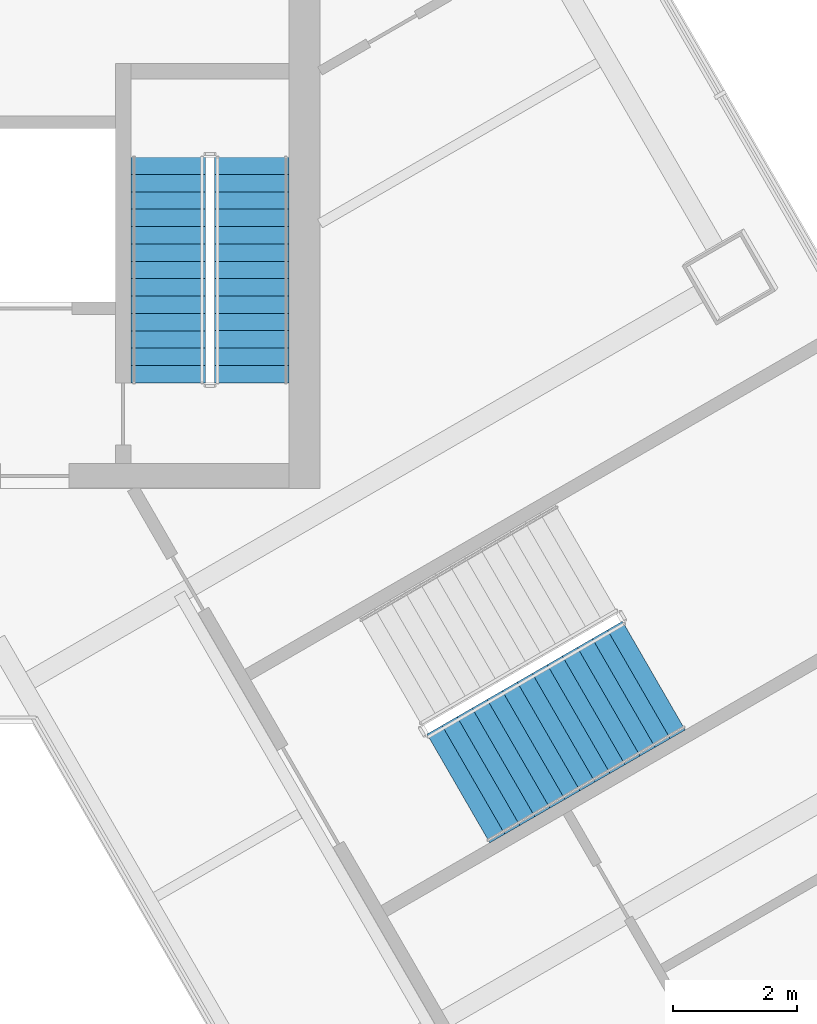
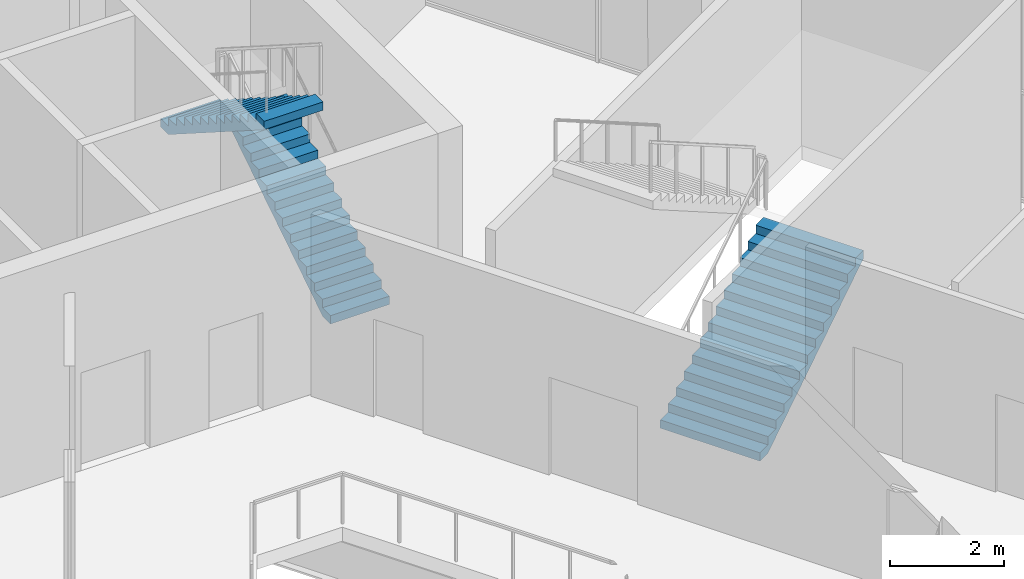
# One storey, part 11 of 13: 3 stair flights, 2 elements without a shape of their own.
"""IFC4 building model written with IfcOpenShell, lengths in metres."""

import ifcopenshell
import ifcopenshell.guid

model = None  # the IFC model being written
_history = None  # IfcOwnerHistory: only IFC2X3 demands one
_inside = {}  # id of a spatial element -> (the spatial element, [elements in it])
_under = {}  # id of a project, library or spatial element -> (it, [spatial elements below it])
_declared = {}  # id of a project -> (the project, [libraries it declares])
_typed = {}  # id of a type object -> (the type object, [elements of that type])
_made_of = {}  # id of a material, layer set ... -> (it, [elements and type objects made of it])


def new_model(schema):
    """Start an empty IFC model of exactly this schema.

    Asked for "IFC4X3", IfcOpenShell would pick the latest addendum, in which some entities
    have other attributes; the version numbers below select the first issue.
    IFC2X3 requires an IfcOwnerHistory on every rooted entity: one is made here for all.
    """
    global model, _history
    if schema == "IFC4X3":
        model = ifcopenshell.file(schema_version=(4, 3, 0, 0))
    else:
        model = ifcopenshell.file(schema=schema)
    _inside.clear()
    _under.clear()
    _declared.clear()
    _typed.clear()
    _made_of.clear()
    _history = None
    if model.schema == "IFC2X3":
        org = make("IfcOrganization", Name="unknown")
        user = make(
            "IfcPersonAndOrganization",
            ThePerson=make("IfcPerson", FamilyName="unknown"),
            TheOrganization=org,
        )
        app = make(
            "IfcApplication",
            ApplicationDeveloper=org,
            Version="unknown",
            ApplicationFullName="unknown",
            ApplicationIdentifier="unknown",
        )
        _history = make(
            "IfcOwnerHistory",
            OwningUser=user,
            OwningApplication=app,
            ChangeAction="ADDED",
            CreationDate=0,
        )
    return model


def make(cls, **values):
    """One entity of the class cls with the attributes given. An attribute that is None is left unset."""
    return model.create_entity(
        cls, **{name: value for name, value in values.items() if value is not None}
    )


def rooted(cls, **values):
    """An entity with a GlobalId (a new one), such as an element, a storey or a relation."""
    return make(cls, GlobalId=ifcopenshell.guid.new(), OwnerHistory=_history, **values)


def si_unit(unit_type, name, prefix=None):
    """IfcSIUnit, for example si_unit("LENGTHUNIT", "METRE", prefix="MILLI")."""
    return make("IfcSIUnit", UnitType=unit_type, Prefix=prefix, Name=name)


def assignment(units):
    """IfcUnitAssignment: the units of a project."""
    return None if units is None else make("IfcUnitAssignment", Units=units)


def point(xyz):
    """IfcCartesianPoint."""
    return None if xyz is None else make("IfcCartesianPoint", Coordinates=xyz)


def direction(xyz):
    """IfcDirection."""
    return None if xyz is None else make("IfcDirection", DirectionRatios=xyz)


def frame(location, z_axis=None, x_axis=None):
    """IfcAxis2Placement3D, a coordinate frame: its origin and axes. An axis left out is left unset."""
    return make(
        "IfcAxis2Placement3D",
        Location=point(location),
        Axis=direction(z_axis),
        RefDirection=direction(x_axis),
    )


def origin():
    """The frame at (0, 0, 0) with its axes left unset."""
    return frame((0.0, 0.0, 0.0))


def place(relative_to, where):
    """IfcLocalPlacement: puts the frame where relative to a parent placement (None: the world)."""
    return make(
        "IfcLocalPlacement", PlacementRelTo=relative_to, RelativePlacement=where
    )


def context(
    kind, dimensions, precision=None, world=None, true_north=None, identifier=None
):
    """IfcGeometricRepresentationContext, for example the 3D "Model" context."""
    return make(
        "IfcGeometricRepresentationContext",
        ContextIdentifier=identifier,
        ContextType=kind,
        CoordinateSpaceDimension=dimensions,
        Precision=precision,
        WorldCoordinateSystem=world,
        TrueNorth=true_north,
    )


def subcontext(parent, identifier, kind, view, scale=None):
    """IfcGeometricRepresentationSubContext, for example "Body" below "Model"."""
    return make(
        "IfcGeometricRepresentationSubContext",
        ContextIdentifier=identifier,
        ContextType=kind,
        ParentContext=parent,
        TargetScale=scale,
        TargetView=view,
    )


def project(units=None, contexts=None):
    """IfcProject with its units and contexts."""
    return rooted(
        "IfcProject",
        Name="project",
        RepresentationContexts=contexts,
        UnitsInContext=assignment(units),
    )


def spatial(cls, under=None, at=None, **own):
    """A site, building, storey or space (cls), placed at a placement, below another one or the project."""
    s = rooted(cls, ObjectPlacement=at, **own)
    if under is not None:
        _under.setdefault(under.id(), (under, []))[1].append(s)
    return s


def polyline(points):
    """IfcPolyline through the points."""
    return make("IfcPolyline", Points=[point(p) for p in points])


def outline(outer, holes=None, kind="AREA"):
    """IfcArbitraryClosedProfileDef: a profile drawn as a closed curve; with holes, ...WithVoids."""
    if holes is None:
        return make("IfcArbitraryClosedProfileDef", ProfileType=kind, OuterCurve=outer)
    return make(
        "IfcArbitraryProfileDefWithVoids",
        ProfileType=kind,
        OuterCurve=outer,
        InnerCurves=holes,
    )


def extrude(swept, where, along, depth):
    """IfcExtrudedAreaSolid: the profile swept, set in the frame where, extruded along a direction by depth."""
    return make(
        "IfcExtrudedAreaSolid",
        SweptArea=swept,
        Position=where,
        ExtrudedDirection=direction(along),
        Depth=depth,
    )


def shape(context_of_items, identifier, shape_type, items):
    """IfcShapeRepresentation: the items that make up one representation, for example the "Body"."""
    return make(
        "IfcShapeRepresentation",
        ContextOfItems=context_of_items,
        RepresentationIdentifier=identifier,
        RepresentationType=shape_type,
        Items=items,
    )


def material(Name=None, Category=None):
    """IfcMaterial."""
    return make("IfcMaterial", Name=Name, Category=Category)


def made_of(thing, what):
    """Note that an element or type object is made of a material, layer set ...; save() writes the relation."""
    if what is not None:
        _made_of.setdefault(what.id(), (what, []))[1].append(thing)
    return thing


def type_object(cls, material=None, **own):
    """A type object (cls), such as IfcWallType, which elements share."""
    return made_of(rooted(cls, **own), material)


def element(
    cls,
    number,
    at=None,
    inside=None,
    cuts=None,
    type_object=None,
    material=None,
    context=None,
    identifier="Body",
    shape_type=None,
    held_by="IfcProductDefinitionShape",
    body=None,
    shapes=None,
    **own,
):
    """One element of the class cls, such as IfcWall. Its Tag is "e" and its number.

    at: its placement. inside: the storey or other place that contains it. cuts: it is an
    opening in that element (IfcRelVoidsElement). A single representation is given by context,
    identifier, shape_type and body (its items); several are given by shapes. held_by: the class
    of the entity that holds the representations. save() writes the other relations.
    """
    e = rooted(cls, Tag="e%d" % number, ObjectPlacement=at, **own)
    if body is not None:
        shapes = [shape(context, identifier, shape_type, body)]
    if shapes is not None:
        e.Representation = make(held_by, Representations=shapes)
    if inside is not None:
        _inside.setdefault(inside.id(), (inside, []))[1].append(e)
    if cuts is not None:
        rooted(
            "IfcRelVoidsElement", RelatingBuildingElement=cuts, RelatedOpeningElement=e
        )
    if type_object is not None:
        _typed.setdefault(type_object.id(), (type_object, []))[1].append(e)
    return made_of(e, material)


def aggregate(whole, parts):
    """IfcRelAggregates: a whole, such as a stair, and the parts it consists of."""
    return rooted("IfcRelAggregates", RelatingObject=whole, RelatedObjects=parts)


def save(model, path):
    """Write the relations noted so far, then the file.

    IfcRelAggregates (storeys below a building ...), IfcRelContainedInSpatialStructure (elements
    in a storey), IfcRelDefinesByType, IfcRelAssociatesMaterial and IfcRelDeclares: one each for
    every whole, place, type object, material and project.
    """
    for whole, parts in _under.values():
        aggregate(whole, parts)
    for where, things in _inside.values():
        rooted(
            "IfcRelContainedInSpatialStructure",
            RelatedElements=things,
            RelatingStructure=where,
        )
    for kind, things in _typed.values():
        rooted("IfcRelDefinesByType", RelatedObjects=things, RelatingType=kind)
    for what, things in _made_of.values():
        rooted("IfcRelAssociatesMaterial", RelatedObjects=things, RelatingMaterial=what)
    for by, libraries in _declared.values():
        rooted("IfcRelDeclares", RelatingContext=by, RelatedDefinitions=libraries)
    model.write(path)


model = new_model("IFC4")

# Units and contexts
model_context = context("Model", 3, precision=1e-05, world=origin(), true_north=direction((0.0, 1.0)))
body_context = subcontext(model_context, "Body", "Model", "MODEL_VIEW")
ifc_project = project(units=[si_unit("LENGTHUNIT", "METRE"), si_unit("AREAUNIT", "SQUARE_METRE"), si_unit("VOLUMEUNIT", "CUBIC_METRE"), si_unit("PLANEANGLEUNIT", "RADIAN"), si_unit("MASSUNIT", "GRAM", prefix="KILO")], contexts=[model_context])

# Site, building, storey
site_placement = place(None, origin())
site = spatial("IfcSite", under=ifc_project, at=site_placement, CompositionType="ELEMENT")
building_placement = place(site_placement, origin())
building = spatial("IfcBuilding", under=site, at=building_placement, Name="Apuvela Tower Hotel", CompositionType="ELEMENT")
storey_placement = place(building_placement, frame((0.0, 0.0, 23.5)))
storey = spatial("IfcBuildingStorey", under=building, at=storey_placement, Name="L03", CompositionType="ELEMENT", Elevation=23.5)

# Stair, stair flights
ifc_material_1 = material(Name="Concrete C50/60", Category="concrete")
stair_type_1 = type_object("IfcStairType", Name="COR-STAIR-28R", PredefinedType="HALF_TURN_STAIR", material=ifc_material_1)
stair_1_placement = place(storey_placement, origin())
stair_1 = element("IfcStair", 1, at=stair_1_placement, inside=storey, type_object=stair_type_1, Name="L03 Exit stair ST1", PredefinedType="HALF_TURN_STAIR")
stair_flight_type_1 = type_object("IfcStairFlightType", Name="COR-FLIGHT-14R", PredefinedType="STRAIGHT", material=ifc_material_1)
stair_flight_1_placement = place(storey_placement, frame((4.39990234375, 14.60009765625, 0.0), z_axis=(0.0, 0.0, 1.0), x_axis=(0.0, 1.0, 0.0)))
stair_flight_1 = element("IfcStairFlight", 2, at=stair_flight_1_placement, type_object=stair_flight_type_1, Name="ST1 flight 1", NumberOfRisers=14, NumberOfTreads=13, PredefinedType="STRAIGHT", RiserHeight=0.178571429, TreadLength=0.28, context=body_context, shape_type="SweptSolid", body=[
    extrude(outline(polyline([(0.0, 0.0), (0.0, 0.178466796875), (0.280029296875, 0.178466796875), (0.280029296875, 0.357177734375), (0.56005859375, 0.357177734375), (0.56005859375, 0.53564453125), (0.840087890625, 0.53564453125), (0.840087890625, 0.71435546875), (1.1201171875, 0.71435546875), (1.1201171875, 0.892822265625), (1.39990234375, 0.892822265625), (1.39990234375, 1.071533203125), (1.679931640625, 1.071533203125), (1.679931640625, 1.25), (1.9599609375, 1.25), (1.9599609375, 1.428466796875), (2.239990234375, 1.428466796875), (2.239990234375, 1.607177734375), (2.52001953125, 1.607177734375), (2.52001953125, 1.78564453125), (2.800048828125, 1.78564453125), (2.800048828125, 1.96435546875), (3.080078125, 1.96435546875), (3.080078125, 2.142822265625), (3.360107421875, 2.142822265625), (3.360107421875, 2.321533203125), (3.639892578125, 2.321533203125), (3.639892578125, 2.5), (3.639892578125, 2.1435546875), (0.27880859375, 0.0), (0.0, 0.0)])), frame((0.0, 0.60009765625, 0.0), z_axis=(0.0, -1.0, 0.0), x_axis=(1.0, 0.0, 0.0)), (0.0, 0.0, 1.0), 1.199951171875),
])
stair_flight_2_placement = place(storey_placement, frame((3.050048828125, 18.239990234375, 2.5), z_axis=(0.0, 0.0, 1.0), x_axis=(0.0, -1.0, 0.0)))
stair_flight_2 = element("IfcStairFlight", 3, at=stair_flight_2_placement, type_object=stair_flight_type_1, Name="ST1 flight 2", NumberOfRisers=14, NumberOfTreads=13, PredefinedType="STRAIGHT", RiserHeight=0.178571429, TreadLength=0.28, context=body_context, shape_type="SweptSolid", body=[
    extrude(outline(polyline([(0.0, 0.0), (0.0, 0.178466796875), (0.280029296875, 0.178466796875), (0.280029296875, 0.357177734375), (0.56005859375, 0.357177734375), (0.56005859375, 0.53564453125), (0.840087890625, 0.53564453125), (0.840087890625, 0.71435546875), (1.1201171875, 0.71435546875), (1.1201171875, 0.892822265625), (1.39990234375, 0.892822265625), (1.39990234375, 1.071533203125), (1.679931640625, 1.071533203125), (1.679931640625, 1.25), (1.9599609375, 1.25), (1.9599609375, 1.428466796875), (2.239990234375, 1.428466796875), (2.239990234375, 1.607177734375), (2.52001953125, 1.607177734375), (2.52001953125, 1.78564453125), (2.800048828125, 1.78564453125), (2.800048828125, 1.96435546875), (3.080078125, 1.96435546875), (3.080078125, 2.142822265625), (3.360107421875, 2.142822265625), (3.360107421875, 2.321533203125), (3.639892578125, 2.321533203125), (3.639892578125, 2.5), (3.639892578125, 2.1435546875), (0.27880859375, 0.0), (0.0, 0.0)])), frame((0.0, 0.60009765625, 0.0), z_axis=(0.0, -1.0, 0.0), x_axis=(1.0, 0.0, 0.0)), (0.0, 0.0, 1.0), 1.199951171875),
])
aggregate(stair_1, [stair_flight_1, stair_flight_2])

# Stair, stair flight
ifc_material_2 = material(Name="Concrete C40/50", Category="concrete")
stair_type_2 = type_object("IfcStairType", Name="SPC-STAIR-PS", PredefinedType="HALF_TURN_STAIR", material=ifc_material_2)
stair_2_placement = place(storey_placement, origin())
stair_2 = element("IfcStair", 4, at=stair_2_placement, inside=storey, type_object=stair_type_2, Name="L03 Protected exit stair PS1", PredefinedType="HALF_TURN_STAIR")
stair_flight_type_2 = type_object("IfcStairFlightType", Name="SPC-FLIGHT-PS", PredefinedType="STRAIGHT", material=ifc_material_2)
stair_flight_3_placement = place(storey_placement, frame((7.73193359375, 8.05810546875, 0.0), z_axis=(0.0, 0.0, 1.0), x_axis=(0.866025403784, 0.5, 0.0)))
stair_flight_3 = element("IfcStairFlight", 5, at=stair_flight_3_placement, type_object=stair_flight_type_2, Name="PS1 flight 1", NumberOfRisers=14, NumberOfTreads=13, PredefinedType="STRAIGHT", RiserHeight=0.178571429, TreadLength=0.28, context=body_context, shape_type="SweptSolid", body=[
    extrude(outline(polyline([(0.0, 0.0), (0.0, 0.178466796875), (0.280029296875, 0.178466796875), (0.280029296875, 0.357177734375), (0.56005859375, 0.357177734375), (0.56005859375, 0.53564453125), (0.840087890625, 0.53564453125), (0.840087890625, 0.71435546875), (1.1201171875, 0.71435546875), (1.1201171875, 0.892822265625), (1.39990234375, 0.892822265625), (1.39990234375, 1.071533203125), (1.679931640625, 1.071533203125), (1.679931640625, 1.25), (1.9599609375, 1.25), (1.9599609375, 1.428466796875), (2.239990234375, 1.428466796875), (2.239990234375, 1.607177734375), (2.52001953125, 1.607177734375), (2.52001953125, 1.78564453125), (2.800048828125, 1.78564453125), (2.800048828125, 1.96435546875), (3.080078125, 1.96435546875), (3.080078125, 2.142822265625), (3.360107421875, 2.142822265625), (3.360107421875, 2.321533203125), (3.639892578125, 2.321533203125), (3.639892578125, 2.5), (3.639892578125, 2.1435546875), (0.27880859375, 0.0), (0.0, 0.0)])), frame((0.0, 1.012451171875, 0.0), z_axis=(0.0, -1.0, 0.0), x_axis=(1.0, 0.0, 0.0)), (0.0, 0.0, 1.0), 2.02490234375),
])
aggregate(stair_2, [stair_flight_3])

save(model, "model.ifc")
